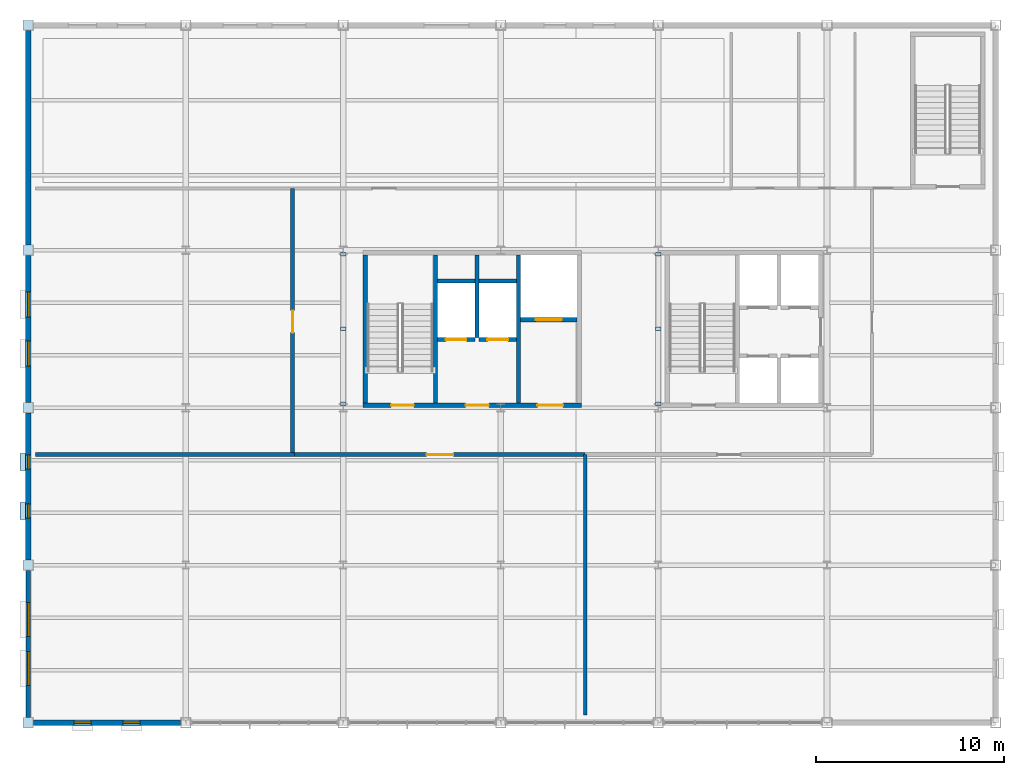
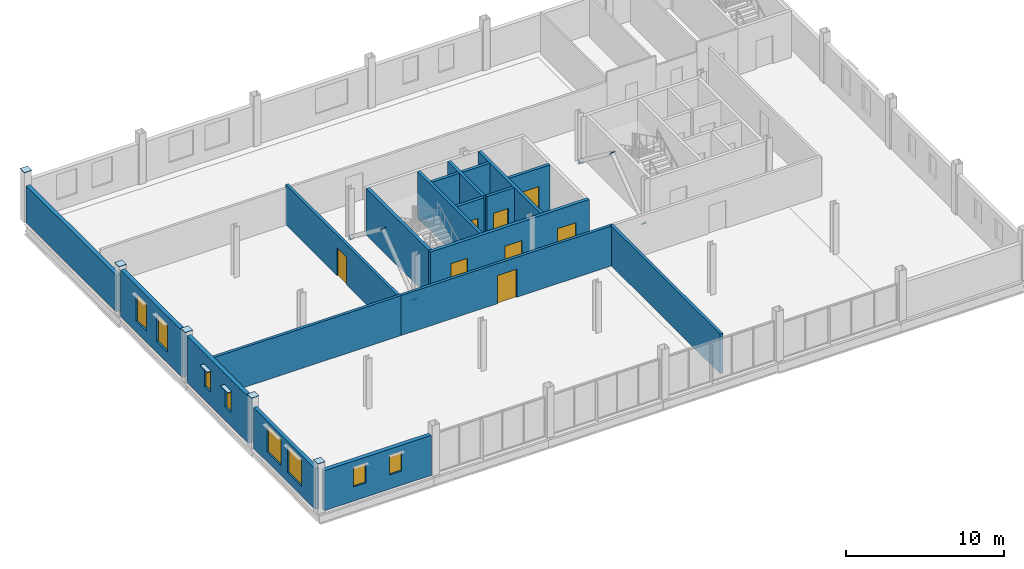
# One storey, part 12 of 17: 19 walls, 13 plates, 8 doors, 8 windows, 16 openings.
"""IFC4 building model written with IfcOpenShell, lengths in metres."""

from ifc_helpers import new_model, si_unit, direction, frame, frame_2d, origin, origin_2d, place, context, subcontext, project, spatial, rectangle, extrude, material, layer, layer_set, type_object, element, fill, save


model = new_model("IFC4")

# Units and contexts
model_context = context("Model", 3, precision=1e-05, world=origin(), true_north=direction((0.0, 1.0)))
body_context = subcontext(model_context, "Body", "Model", "MODEL_VIEW")
ifc_project = project(units=[si_unit("LENGTHUNIT", "METRE"), si_unit("AREAUNIT", "SQUARE_METRE"), si_unit("VOLUMEUNIT", "CUBIC_METRE"), si_unit("PLANEANGLEUNIT", "RADIAN"), si_unit("MASSUNIT", "GRAM", prefix="KILO")], contexts=[model_context])

# Site, building, storey
site_placement = place(None, origin())
site = spatial("IfcSite", under=ifc_project, at=site_placement, CompositionType="ELEMENT")
building_placement = place(site_placement, origin())
building = spatial("IfcBuilding", under=site, at=building_placement, Name="Yukiwa Park Conservatory and Herbarium", CompositionType="ELEMENT")
storey_placement = place(building_placement, frame((0.0, 0.0, 17.10009765625)))
storey = spatial("IfcBuildingStorey", under=building, at=storey_placement, Name="L04", CompositionType="ELEMENT", Elevation=17.10009765625)

# Plates
ifc_material_1 = material(Name="Steel Q355D", Category="steel")
ifc_layer_1 = layer(ifc_material_1, 0.02392578125)
ifc_layer_set_1 = layer_set([ifc_layer_1], Name="Steel Q355D")
plate_type_1 = type_object("IfcPlateType", Name="PL-CAP-24", PredefinedType="USERDEFINED", material=ifc_layer_set_1)
for number, where, z_axis, x_axis, name in (
    (1, (116.39990234375, 78.0, 3.8759765625), (0.0, 0.0, 1.0), (1.0, 0.0, 0.0), "Hollow section end cap plate CAP-COL-L04-V5-X1164-Y780"),
    (2, (116.39990234375, 86.39990234375, 3.8759765625), (0.0, 0.0, 1.0), (1.0, 0.0, 0.0), "Hollow section end cap plate CAP-COL-L04-V5-X1164-Y864"),
    (3, (116.39990234375, 94.800048828125, 3.8759765625), (0.0, 0.0, 1.0), (1.0, 0.0, 0.0), "Hollow section end cap plate CAP-COL-L04-V5-X1164-Y948"),
    (4, (116.39990234375, 103.199951171875, 3.8759765625), (0.0, 0.0, 1.0), (1.0, 0.0, 0.0), "Hollow section end cap plate CAP-COL-L04-V5-X1164-Y1032"),
    (5, (116.39990234375, 115.199951171875, 3.8759765625), (0.0, 0.0, 1.0), (1.0, 0.0, 0.0), "Hollow section end cap plate CAP-COL-L04-V5-X1164-Y1152"),
):
    element("IfcPlate", number, at=place(storey_placement, frame(where, z_axis=z_axis, x_axis=x_axis)), inside=storey, type_object=plate_type_1, Name=name, ObjectType="END CAP PLATE", PredefinedType="USERDEFINED", context=body_context, shape_type="SweptSolid", body=[
        extrude(rectangle(XDim=0.55810546875, YDim=0.55810546875, at=origin_2d()), origin(), (0.0, 0.0, 1.0), 0.02392578125),
    ])
ifc_material_2 = material(Name="Steel Q355D", Category="steel")
ifc_layer_2 = layer(ifc_material_2, 0.02392578125)
ifc_layer_set_2 = layer_set([ifc_layer_2], Name="Steel Q355D")
plate_type_2 = type_object("IfcPlateType", Name="PL-CAP-24-INT", PredefinedType="USERDEFINED", material=ifc_layer_set_2)
for number, where, z_axis, x_axis, name in (
    (6, (133.199951171875, 95.01171875, 0.209716796875), (0.0, -0.797539341706, -0.603266937957), (1.0, 0.0, 0.0), "Hollow section end cap plate CAP-BR-L04-029A"),
    (7, (133.199951171875, 98.99365234375, 3.219970703125), (0.0, 0.792623989105, 0.60971076085), (-1.0, 0.0, 0.0), "Hollow section end cap plate CAP-BR-L04-029B"),
    (8, (133.199951171875, 102.98828125, 0.209716796875), (0.0, 0.797539341706, -0.603266937957), (-1.0, 0.0, 0.0), "Hollow section end cap plate CAP-BR-L04-030A"),
    (9, (150.0, 95.01171875, 0.209716796875), (0.0, -0.797539341706, -0.603266937957), (1.0, 0.0, 0.0), "Hollow section end cap plate CAP-BR-L04-031A"),
    (10, (150.0, 98.99365234375, 3.219970703125), (0.0, 0.792623989105, 0.60971076085), (-1.0, 0.0, 0.0), "Hollow section end cap plate CAP-BR-L04-031B"),
    (11, (150.0, 102.98828125, 0.209716796875), (0.0, 0.797539341706, -0.603266937957), (-1.0, 0.0, 0.0), "Hollow section end cap plate CAP-BR-L04-032A"),
):
    element("IfcPlate", number, at=place(storey_placement, frame(where, z_axis=z_axis, x_axis=x_axis)), inside=storey, type_object=plate_type_2, Name=name, ObjectType="END CAP PLATE", PredefinedType="USERDEFINED", context=body_context, shape_type="SweptSolid", body=[
        extrude(rectangle(XDim=0.281005859375, YDim=0.281005859375, at=origin_2d()), origin(), (0.0, 0.0, 1.0), 0.02392578125),
    ])
ifc_material_3 = material(Name="Anodised Aluminium", Category="aluminium")
ifc_layer_3 = layer(ifc_material_3, 0.0400390625)
ifc_layer_set_3 = layer_set([ifc_layer_3], Name="Anodised Aluminium")
plate_type_3 = type_object("IfcPlateType", Name="PL-SHADE-ALU-40", PredefinedType="SHEET", material=ifc_layer_set_3)
for number, where, z_axis, x_axis, name in (
    (12, (116.110107421875, 91.907958984375, 2.68994140625), (0.0, 0.0, 1.0), (0.0, -1.0, 0.0), "L04 snow-shedding window hood 140"),
    (13, (116.110107421875, 89.2919921875, 2.68994140625), (0.0, 0.0, 1.0), (0.0, -1.0, 0.0), "L04 snow-shedding window hood 141"),
):
    element("IfcPlate", number, at=place(storey_placement, frame(where, z_axis=z_axis, x_axis=x_axis)), inside=storey, type_object=plate_type_3, Name=name, PredefinedType="SHEET", context=body_context, shape_type="SweptSolid", body=[
        extrude(rectangle(XDim=0.909912109375, YDim=0.300048828125, at=origin_2d()), origin(), (0.0, 0.0, 1.0), 0.0400390625),
    ])

# Walls
ifc_material_4 = material(Name="Concrete C40", Category="concrete")
ifc_layer_4 = layer(ifc_material_4, 0.219970703125)
ifc_layer_set_4 = layer_set([ifc_layer_4], Name="Concrete C40")
wall_type_1 = type_object("IfcWallType", Name="WL-CORE-RC220", PredefinedType="SHEAR", material=ifc_layer_set_4)
wall_1_placement = place(storey_placement, frame((138.110107421875, 95.050048828125, 0.0), z_axis=(0.0, 0.0, 1.0), x_axis=(0.0, 1.0, 0.0)))
element("IfcWall", 14, at=wall_1_placement, inside=storey, type_object=wall_type_1, Name="L04 core shear wall 349", PredefinedType="SHEAR", context=body_context, shape_type="SweptSolid", body=[
    extrude(rectangle(XDim=7.89990234375, YDim=0.219970703125, at=frame_2d((3.949951171875, 0.0))), origin(), (0.0, 0.0, 1.0), 3.599853515625),
])
wall_2_placement = place(storey_placement, frame((140.330078125, 98.5400390625, 0.0), z_axis=(0.0, 0.0, 1.0), x_axis=(0.0, 1.0, 0.0)))
element("IfcWall", 15, at=wall_2_placement, inside=storey, type_object=wall_type_1, Name="L04 core shear wall 350", PredefinedType="SHEAR", context=body_context, shape_type="SweptSolid", body=[
    extrude(rectangle(XDim=4.409912109375, YDim=0.219970703125, at=frame_2d((2.205078125, 0.0))), origin(), (0.0, 0.0, 1.0), 3.599853515625),
])
wall_3_placement = place(storey_placement, frame((142.550048828125, 95.050048828125, 0.0), z_axis=(0.0, 0.0, 1.0), x_axis=(0.0, 1.0, 0.0)))
element("IfcWall", 16, at=wall_3_placement, inside=storey, type_object=wall_type_1, Name="L04 core shear wall 351", PredefinedType="SHEAR", context=body_context, shape_type="SweptSolid", body=[
    extrude(rectangle(XDim=7.89990234375, YDim=0.219970703125, at=frame_2d((3.949951171875, 0.0))), origin(), (0.0, 0.0, 1.0), 3.599853515625),
])

# Wall, opening, door
wall_4_placement = place(storey_placement, frame((138.219970703125, 98.429931640625, 0.0), z_axis=(0.0, 0.0, 1.0), x_axis=(1.0, 0.0, 0.0)))
wall_4 = element("IfcWall", 17, at=wall_4_placement, inside=storey, type_object=wall_type_1, Name="L04 core shear wall 353", PredefinedType="SHEAR", context=body_context, shape_type="SweptSolid", body=[
    extrude(rectangle(XDim=2.0, YDim=0.219970703125, at=frame_2d((1.0, 0.0))), origin(), (0.0, 0.0, 1.0), 3.599853515625),
])
opening_1_placement = place(wall_4_placement, frame((0.449951171875, 0.0, 0.0)))
opening_1 = element("IfcOpeningElement", 18, at=opening_1_placement, cuts=wall_4, Name="Opening LD-01", PredefinedType="OPENING", context=body_context, shape_type="SweptSolid", body=[
    extrude(rectangle(XDim=1.10009765625, YDim=2.14990234375, at=frame_2d((0.550048828125, 1.074951171875))), frame((0.0, 0.1201171875, 0.0), z_axis=(0.0, -1.0, 0.0), x_axis=(1.0, 0.0, 0.0)), (0.0, 0.0, 1.0), 0.239990234375),
])
ifc_material_5 = material(Name="Steel Q235B", Category="steel")
door_type_1 = type_object("IfcDoorType", Name="DR-LIFT-LD1100", OperationType="SLIDING_TO_LEFT", PredefinedType="DOOR", material=ifc_material_5)
door_1_placement = place(opening_1_placement, origin())
door_1 = element("IfcDoor", 19, at=door_1_placement, inside=storey, type_object=door_type_1, Name="L04 Firefighting Lift FL1 sliding landing door", OperationType="SLIDING_TO_LEFT", OverallHeight=2.14990234375, OverallWidth=1.10009765625, PredefinedType="DOOR", context=body_context, shape_type="SweptSolid", body=[
    extrude(rectangle(XDim=1.10009765625, YDim=2.14990234375, at=frame_2d((0.550048828125, 1.074951171875))), frame((0.0, 0.02490234375, 0.0), z_axis=(0.0, -1.0, 0.0), x_axis=(1.0, 0.0, 0.0)), (0.0, 0.0, 1.0), 0.050048828125),
])
fill(opening_1, door_1)

wall_5_placement = place(storey_placement, frame((140.43994140625, 98.429931640625, 0.0), z_axis=(0.0, 0.0, 1.0), x_axis=(1.0, 0.0, 0.0)))
wall_5 = element("IfcWall", 20, at=wall_5_placement, inside=storey, type_object=wall_type_1, Name="L04 core shear wall 354", PredefinedType="SHEAR", context=body_context, shape_type="SweptSolid", body=[
    extrude(rectangle(XDim=2.0, YDim=0.219970703125, at=frame_2d((1.0, 0.0))), origin(), (0.0, 0.0, 1.0), 3.599853515625),
])
opening_2_placement = place(wall_5_placement, frame((0.449951171875, 0.0, 0.0)))
opening_2 = element("IfcOpeningElement", 21, at=opening_2_placement, cuts=wall_5, Name="Opening LD-01", PredefinedType="OPENING", context=body_context, shape_type="SweptSolid", body=[
    extrude(rectangle(XDim=1.10009765625, YDim=2.14990234375, at=frame_2d((0.550048828125, 1.074951171875))), frame((0.0, 0.1201171875, 0.0), z_axis=(0.0, -1.0, 0.0), x_axis=(1.0, 0.0, 0.0)), (0.0, 0.0, 1.0), 0.239990234375),
])
door_2_placement = place(opening_2_placement, origin())
door_2 = element("IfcDoor", 22, at=door_2_placement, inside=storey, type_object=door_type_1, Name="L04 Firefighting Lift FL2 sliding landing door", OperationType="SLIDING_TO_LEFT", OverallHeight=2.14990234375, OverallWidth=1.10009765625, PredefinedType="DOOR", context=body_context, shape_type="SweptSolid", body=[
    extrude(rectangle(XDim=1.10009765625, YDim=2.14990234375, at=frame_2d((0.550048828125, 1.074951171875))), frame((0.0, 0.02490234375, 0.0), z_axis=(0.0, -1.0, 0.0), x_axis=(1.0, 0.0, 0.0)), (0.0, 0.0, 1.0), 0.050048828125),
])
fill(opening_2, door_2)

# Walls
for number, where, z_axis, x_axis, name in (
    (23, (138.219970703125, 101.550048828125, 0.0), (0.0, 0.0, 1.0), (1.0, 0.0, 0.0), "L04 core shear wall 355"),
    (24, (140.43994140625, 101.550048828125, 0.0), (0.0, 0.0, 1.0), (1.0, 0.0, 0.0), "L04 core shear wall 356"),
):
    element("IfcWall", number, at=place(storey_placement, frame(where, z_axis=z_axis, x_axis=x_axis)), inside=storey, type_object=wall_type_1, Name=name, PredefinedType="SHEAR", context=body_context, shape_type="SweptSolid", body=[
        extrude(rectangle(XDim=2.0, YDim=0.219970703125, at=frame_2d((1.0, 0.0))), origin(), (0.0, 0.0, 1.0), 3.599853515625),
    ])

# Wall, opening, door
wall_6_placement = place(storey_placement, frame((142.659912109375, 99.489990234375, 0.0), z_axis=(0.0, 0.0, 1.0), x_axis=(1.0, 0.0, 0.0)))
wall_6 = element("IfcWall", 25, at=wall_6_placement, inside=storey, type_object=wall_type_1, Name="L04 core shear wall 357", PredefinedType="SHEAR", context=body_context, shape_type="SweptSolid", body=[
    extrude(rectangle(XDim=3.0, YDim=0.219970703125, at=frame_2d((1.5, 0.0))), origin(), (0.0, 0.0, 1.0), 3.599853515625),
])
opening_3_placement = place(wall_6_placement, frame((0.800048828125, 0.0, 0.0)))
opening_3 = element("IfcOpeningElement", 26, at=opening_3_placement, cuts=wall_6, Name="Opening LD-02", PredefinedType="OPENING", context=body_context, shape_type="SweptSolid", body=[
    extrude(rectangle(XDim=1.39990234375, YDim=2.199951171875, at=frame_2d((0.699951171875, 1.10009765625))), frame((0.0, 0.1201171875, 0.0), z_axis=(0.0, -1.0, 0.0), x_axis=(1.0, 0.0, 0.0)), (0.0, 0.0, 1.0), 0.239990234375),
])
ifc_material_6 = material(Name="Steel Q235B", Category="steel")
door_type_2 = type_object("IfcDoorType", Name="DR-LIFT-LD1400", OperationType="SLIDING_TO_LEFT", PredefinedType="DOOR", material=ifc_material_6)
door_3_placement = place(opening_3_placement, origin())
door_3 = element("IfcDoor", 27, at=door_3_placement, inside=storey, type_object=door_type_2, Name="L04 Goods Lift GL1 sliding landing door", OperationType="SLIDING_TO_LEFT", OverallHeight=2.199951171875, OverallWidth=1.39990234375, PredefinedType="DOOR", context=body_context, shape_type="SweptSolid", body=[
    extrude(rectangle(XDim=1.39990234375, YDim=2.199951171875, at=frame_2d((0.699951171875, 1.10009765625))), frame((0.0, 0.02490234375, 0.0), z_axis=(0.0, -1.0, 0.0), x_axis=(1.0, 0.0, 0.0)), (0.0, 0.0, 1.0), 0.050048828125),
])
fill(opening_3, door_3)

# Wall, openings, doors
ifc_material_7 = material(Name="Concrete C50", Category="concrete")
ifc_layer_5 = layer(ifc_material_7, 0.239990234375)
ifc_layer_set_5 = layer_set([ifc_layer_5], Name="Concrete C50")
wall_type_2 = type_object("IfcWallType", Name="WL-CORE-RC240", PredefinedType="SHEAR", material=ifc_layer_set_5)
wall_7_placement = place(storey_placement, frame((134.25, 94.929931640625, 0.0), z_axis=(0.0, 0.0, 1.0), x_axis=(1.0, 0.0, 0.0)))
wall_7 = element("IfcWall", 28, at=wall_7_placement, inside=storey, type_object=wall_type_2, Name="L04 core shear wall 346", PredefinedType="SHEAR", context=body_context, shape_type="SweptSolid", body=[
    extrude(rectangle(XDim=11.64990234375, YDim=0.239990234375, at=frame_2d((5.824951171875, 0.0))), origin(), (0.0, 0.0, 1.0), 3.599853515625),
])
opening_4_placement = place(wall_7_placement, frame((1.5, 0.0, 0.0)))
opening_4 = element("IfcOpeningElement", 29, at=opening_4_placement, cuts=wall_7, Name="Opening SD-01", PredefinedType="OPENING", context=body_context, shape_type="SweptSolid", body=[
    extrude(rectangle(XDim=1.219970703125, YDim=2.179931640625, at=frame_2d((0.60986328125, 1.08984375))), frame((0.0, 0.1298828125, 0.0), z_axis=(0.0, -1.0, 0.0), x_axis=(1.0, 0.0, 0.0)), (0.0, 0.0, 1.0), 0.260009765625),
])
opening_5_placement = place(wall_7_placement, frame((5.47998046875, 0.0, 0.0)))
opening_5 = element("IfcOpeningElement", 30, at=opening_5_placement, cuts=wall_7, Name="Opening FD-02", PredefinedType="OPENING", context=body_context, shape_type="SweptSolid", body=[
    extrude(rectangle(XDim=1.239990234375, YDim=2.14990234375, at=frame_2d((0.6201171875, 1.074951171875))), frame((0.0, 0.1298828125, 0.0), z_axis=(0.0, -1.0, 0.0), x_axis=(1.0, 0.0, 0.0)), (0.0, 0.0, 1.0), 0.260009765625),
])
opening_6_placement = place(wall_7_placement, frame((9.300048828125, 0.0, 0.0)))
opening_6 = element("IfcOpeningElement", 31, at=opening_6_placement, cuts=wall_7, Name="Opening FD-06", PredefinedType="OPENING", context=body_context, shape_type="SweptSolid", body=[
    extrude(rectangle(XDim=1.3798828125, YDim=2.14990234375, at=frame_2d((0.68994140625, 1.074951171875))), frame((0.0, 0.1298828125, 0.0), z_axis=(0.0, -1.0, 0.0), x_axis=(1.0, 0.0, 0.0)), (0.0, 0.0, 1.0), 0.260009765625),
])
ifc_material_8 = material(Name="Steel Q235B", Category="steel")
door_type_3 = type_object("IfcDoorType", Name="DR-FIRE-FD60-1400", OperationType="DOUBLE_DOOR_SINGLE_SWING", PredefinedType="DOOR", material=ifc_material_8)
door_4_placement = place(opening_6_placement, frame((1.3798828125, 0.0, 0.0), z_axis=(0.0, 0.0, 1.0), x_axis=(-1.0, 0.0, 0.0)))
door_4 = element("IfcDoor", 32, at=door_4_placement, inside=storey, type_object=door_type_3, Name="L04 Goods Lift Lobby double fire door", OperationType="DOUBLE_DOOR_SINGLE_SWING", OverallHeight=2.14990234375, OverallWidth=1.3798828125, PredefinedType="DOOR", context=body_context, shape_type="SweptSolid", body=[
    extrude(rectangle(XDim=1.3798828125, YDim=2.14990234375, at=frame_2d((0.68994140625, 1.074951171875))), frame((0.0, 0.02490234375, 0.0), z_axis=(0.0, -1.0, 0.0), x_axis=(1.0, 0.0, 0.0)), (0.0, 0.0, 1.0), 0.050048828125),
])
fill(opening_6, door_4)
ifc_material_9 = material(Name="Steel Q235B", Category="steel")
door_type_4 = type_object("IfcDoorType", Name="DR-FIRE-FD90-1200", OperationType="SINGLE_SWING_RIGHT", PredefinedType="DOOR", material=ifc_material_9)
door_5_placement = place(opening_5_placement, frame((1.239990234375, 0.0, 0.0), z_axis=(0.0, 0.0, 1.0), x_axis=(-1.0, 0.0, 0.0)))
door_5 = element("IfcDoor", 33, at=door_5_placement, inside=storey, type_object=door_type_4, Name="L04 Firefighting Lift Lobby fire door", OperationType="SINGLE_SWING_RIGHT", OverallHeight=2.14990234375, OverallWidth=1.239990234375, PredefinedType="DOOR", context=body_context, shape_type="SweptSolid", body=[
    extrude(rectangle(XDim=1.239990234375, YDim=2.14990234375, at=frame_2d((0.6201171875, 1.074951171875))), frame((0.0, 0.02490234375, 0.0), z_axis=(0.0, -1.0, 0.0), x_axis=(1.0, 0.0, 0.0)), (0.0, 0.0, 1.0), 0.050048828125),
])
fill(opening_5, door_5)
ifc_material_10 = material(Name="Steel Q235B", Category="steel")
door_type_5 = type_object("IfcDoorType", Name="DR-STAIR-FD90-1200", OperationType="SINGLE_SWING_LEFT", PredefinedType="DOOR", material=ifc_material_10)
door_6_placement = place(opening_4_placement, origin())
door_6 = element("IfcDoor", 34, at=door_6_placement, inside=storey, type_object=door_type_5, Name="L04 Stairwell ST-T1 fire door", OperationType="SINGLE_SWING_LEFT", OverallHeight=2.179931640625, OverallWidth=1.219970703125, PredefinedType="DOOR", context=body_context, shape_type="SweptSolid", body=[
    extrude(rectangle(XDim=1.219970703125, YDim=2.179931640625, at=frame_2d((0.60986328125, 1.08984375))), frame((0.0, 0.02490234375, 0.0), z_axis=(0.0, -1.0, 0.0), x_axis=(1.0, 0.0, 0.0)), (0.0, 0.0, 1.0), 0.050048828125),
])
fill(opening_4, door_6)

# Walls
wall_8_placement = place(storey_placement, frame((134.3701171875, 95.050048828125, 0.0), z_axis=(0.0, 0.0, 1.0), x_axis=(0.0, 1.0, 0.0)))
element("IfcWall", 35, at=wall_8_placement, inside=storey, type_object=wall_type_2, Name="L04 core shear wall 348", PredefinedType="SHEAR", context=body_context, shape_type="SweptSolid", body=[
    extrude(rectangle(XDim=7.89990234375, YDim=0.239990234375, at=frame_2d((3.949951171875, 0.0))), origin(), (0.0, 0.0, 1.0), 3.599853515625),
])
ifc_material_11 = material(Name="Pale Granite Cladding", Category="masonry")
ifc_layer_6 = layer(ifc_material_11, 0.300048828125)
ifc_layer_set_6 = layer_set([ifc_layer_6], Name="Pale Granite Cladding")
wall_type_3 = type_object("IfcWallType", Name="WL-EXT-GRAN-300", PredefinedType="SOLIDWALL", material=ifc_layer_set_6)
wall_9_placement = place(storey_placement, frame((116.39990234375, 114.925048828125, 0.0), z_axis=(0.0, 0.0, 1.0), x_axis=(0.0, -1.0, 0.0)))
element("IfcWall", 36, at=wall_9_placement, inside=storey, type_object=wall_type_3, Name="L04 exterior envelope wall 269", PredefinedType="SOLIDWALL", context=body_context, shape_type="SweptSolid", body=[
    extrude(rectangle(XDim=11.449951171875, YDim=0.300048828125, at=frame_2d((5.72509765625, 0.0))), origin(), (0.0, 0.0, 1.0), 2.843017578125),
])

# Wall, openings, windows
wall_10_placement = place(storey_placement, frame((116.39990234375, 102.925048828125, 0.0), z_axis=(0.0, 0.0, 1.0), x_axis=(0.0, -1.0, 0.0)))
wall_10 = element("IfcWall", 37, at=wall_10_placement, inside=storey, type_object=wall_type_3, Name="L04 exterior envelope wall 270", PredefinedType="SOLIDWALL", context=body_context, shape_type="SweptSolid", body=[
    extrude(rectangle(XDim=7.85009765625, YDim=0.300048828125, at=frame_2d((3.925048828125, 0.0))), origin(), (0.0, 0.0, 1.0), 3.599853515625),
])
opening_7_placement = place(wall_10_placement, frame((1.94189453125, 0.0, 0.85009765625)))
opening_7 = element("IfcOpeningElement", 38, at=opening_7_placement, cuts=wall_10, Name="Opening W-04", PredefinedType="OPENING", context=body_context, shape_type="SweptSolid", body=[
    extrude(rectangle(XDim=1.35009765625, YDim=2.10009765625, at=frame_2d((0.675048828125, 1.050048828125))), frame((0.0, 0.16015625, 0.0), z_axis=(0.0, -1.0, 0.0), x_axis=(1.0, 0.0, 0.0)), (0.0, 0.0, 1.0), 0.320068359375),
])
opening_8_placement = place(wall_10_placement, frame((4.55810546875, 0.0, 0.85009765625)))
opening_8 = element("IfcOpeningElement", 39, at=opening_8_placement, cuts=wall_10, Name="Opening W-04", PredefinedType="OPENING", context=body_context, shape_type="SweptSolid", body=[
    extrude(rectangle(XDim=1.35009765625, YDim=2.10009765625, at=frame_2d((0.675048828125, 1.050048828125))), frame((0.0, 0.16015625, 0.0), z_axis=(0.0, -1.0, 0.0), x_axis=(1.0, 0.0, 0.0)), (0.0, 0.0, 1.0), 0.320068359375),
])
ifc_material_12 = material(Name="Triple Low-E Insulated Glass", Category="glass")
window_type_1 = type_object("IfcWindowType", Name="WN-TW-1350X2100", PartitioningType="SINGLE_PANEL", PredefinedType="WINDOW", material=ifc_material_12)
window_1_placement = place(opening_7_placement, origin())
window_1 = element("IfcWindow", 40, at=window_1_placement, inside=storey, type_object=window_type_1, Name="L04 deep-reveal triple-glazed window 211", OverallHeight=2.10009765625, OverallWidth=1.35009765625, PartitioningType="SINGLE_PANEL", PredefinedType="WINDOW", context=body_context, shape_type="SweptSolid", body=[
    extrude(rectangle(XDim=1.35009765625, YDim=2.10009765625, at=frame_2d((0.675048828125, 1.050048828125))), frame((0.0, 0.030029296875, 0.0), z_axis=(0.0, -1.0, 0.0), x_axis=(1.0, 0.0, 0.0)), (0.0, 0.0, 1.0), 0.06005859375),
])
fill(opening_7, window_1)
window_2_placement = place(opening_8_placement, origin())
window_2 = element("IfcWindow", 41, at=window_2_placement, inside=storey, type_object=window_type_1, Name="L04 deep-reveal triple-glazed window 212", OverallHeight=2.10009765625, OverallWidth=1.35009765625, PartitioningType="SINGLE_PANEL", PredefinedType="WINDOW", context=body_context, shape_type="SweptSolid", body=[
    extrude(rectangle(XDim=1.35009765625, YDim=2.10009765625, at=frame_2d((0.675048828125, 1.050048828125))), frame((0.0, 0.030029296875, 0.0), z_axis=(0.0, -1.0, 0.0), x_axis=(1.0, 0.0, 0.0)), (0.0, 0.0, 1.0), 0.06005859375),
])
fill(opening_8, window_2)

wall_11_placement = place(storey_placement, frame((116.39990234375, 94.52490234375, 0.0), z_axis=(0.0, 0.0, 1.0), x_axis=(0.0, -1.0, 0.0)))
wall_11 = element("IfcWall", 42, at=wall_11_placement, inside=storey, type_object=wall_type_3, Name="L04 exterior envelope wall 271", PredefinedType="SOLIDWALL", context=body_context, shape_type="SweptSolid", body=[
    extrude(rectangle(XDim=7.849853515625, YDim=0.300048828125, at=frame_2d((3.9248046875, 0.0))), origin(), (0.0, 0.0, 1.0), 3.599853515625),
])
opening_9_placement = place(wall_11_placement, frame((2.241943359375, 0.0, 1.050048828125)))
opening_9 = element("IfcOpeningElement", 43, at=opening_9_placement, cuts=wall_11, Name="Opening W-10", PredefinedType="OPENING", context=body_context, shape_type="SweptSolid", body=[
    extrude(rectangle(XDim=0.75, YDim=1.60009765625, at=frame_2d((0.375, 0.800048828125))), frame((0.0, 0.16015625, 0.0), z_axis=(0.0, -1.0, 0.0), x_axis=(1.0, 0.0, 0.0)), (0.0, 0.0, 1.0), 0.320068359375),
])
opening_10_placement = place(wall_11_placement, frame((4.85791015625, 0.0, 1.050048828125)))
opening_10 = element("IfcOpeningElement", 44, at=opening_10_placement, cuts=wall_11, Name="Opening W-10", PredefinedType="OPENING", context=body_context, shape_type="SweptSolid", body=[
    extrude(rectangle(XDim=0.75, YDim=1.60009765625, at=frame_2d((0.375, 0.800048828125))), frame((0.0, 0.16015625, 0.0), z_axis=(0.0, -1.0, 0.0), x_axis=(1.0, 0.0, 0.0)), (0.0, 0.0, 1.0), 0.320068359375),
])
ifc_material_13 = material(Name="Triple Low-E Insulated Glass", Category="glass")
window_type_2 = type_object("IfcWindowType", Name="WN-HB-0750X1600", PartitioningType="SINGLE_PANEL", PredefinedType="WINDOW", material=ifc_material_13)
window_3_placement = place(opening_9_placement, origin())
window_3 = element("IfcWindow", 45, at=window_3_placement, inside=storey, type_object=window_type_2, Name="L04 deep-reveal triple-glazed window 213", OverallHeight=1.60009765625, OverallWidth=0.75, PartitioningType="SINGLE_PANEL", PredefinedType="WINDOW", context=body_context, shape_type="SweptSolid", body=[
    extrude(rectangle(XDim=0.75, YDim=1.60009765625, at=frame_2d((0.375, 0.800048828125))), frame((0.0, 0.030029296875, 0.0), z_axis=(0.0, -1.0, 0.0), x_axis=(1.0, 0.0, 0.0)), (0.0, 0.0, 1.0), 0.06005859375),
])
fill(opening_9, window_3)
window_4_placement = place(opening_10_placement, origin())
window_4 = element("IfcWindow", 46, at=window_4_placement, inside=storey, type_object=window_type_2, Name="L04 deep-reveal triple-glazed window 214", OverallHeight=1.60009765625, OverallWidth=0.75, PartitioningType="SINGLE_PANEL", PredefinedType="WINDOW", context=body_context, shape_type="SweptSolid", body=[
    extrude(rectangle(XDim=0.75, YDim=1.60009765625, at=frame_2d((0.375, 0.800048828125))), frame((0.0, 0.030029296875, 0.0), z_axis=(0.0, -1.0, 0.0), x_axis=(1.0, 0.0, 0.0)), (0.0, 0.0, 1.0), 0.06005859375),
])
fill(opening_10, window_4)

wall_12_placement = place(storey_placement, frame((116.675048828125, 78.0, 0.0), z_axis=(0.0, 0.0, 1.0), x_axis=(1.0, 0.0, 0.0)))
wall_12 = element("IfcWall", 47, at=wall_12_placement, inside=storey, type_object=wall_type_3, Name="L04 exterior envelope wall 273", PredefinedType="SOLIDWALL", context=body_context, shape_type="SweptSolid", body=[
    extrude(rectangle(XDim=7.849853515625, YDim=0.300048828125, at=frame_2d((3.9248046875, 0.0))), origin(), (0.0, 0.0, 1.0), 3.099853515625),
])
opening_11_placement = place(wall_12_placement, frame((2.1669921875, 0.0, 1.10009765625)))
opening_11 = element("IfcOpeningElement", 48, at=opening_11_placement, cuts=wall_12, Name="Opening W-11", PredefinedType="OPENING", context=body_context, shape_type="SweptSolid", body=[
    extrude(rectangle(XDim=0.89990234375, YDim=1.5, at=frame_2d((0.449951171875, 0.75))), frame((0.0, 0.16015625, 0.0), z_axis=(0.0, -1.0, 0.0), x_axis=(1.0, 0.0, 0.0)), (0.0, 0.0, 1.0), 0.320068359375),
])
opening_12_placement = place(wall_12_placement, frame((4.782958984375, 0.0, 1.10009765625)))
opening_12 = element("IfcOpeningElement", 49, at=opening_12_placement, cuts=wall_12, Name="Opening W-11", PredefinedType="OPENING", context=body_context, shape_type="SweptSolid", body=[
    extrude(rectangle(XDim=0.89990234375, YDim=1.5, at=frame_2d((0.449951171875, 0.75))), frame((0.0, 0.16015625, 0.0), z_axis=(0.0, -1.0, 0.0), x_axis=(1.0, 0.0, 0.0)), (0.0, 0.0, 1.0), 0.320068359375),
])
ifc_material_14 = material(Name="Triple Low-E Insulated Glass", Category="glass")
window_type_3 = type_object("IfcWindowType", Name="WN-HB-0900X1500", PartitioningType="SINGLE_PANEL", PredefinedType="WINDOW", material=ifc_material_14)
window_5_placement = place(opening_11_placement, origin())
window_5 = element("IfcWindow", 50, at=window_5_placement, inside=storey, type_object=window_type_3, Name="L04 deep-reveal triple-glazed window 217", OverallHeight=1.5, OverallWidth=0.89990234375, PartitioningType="SINGLE_PANEL", PredefinedType="WINDOW", context=body_context, shape_type="SweptSolid", body=[
    extrude(rectangle(XDim=0.89990234375, YDim=1.5, at=frame_2d((0.449951171875, 0.75))), frame((0.0, 0.030029296875, 0.0), z_axis=(0.0, -1.0, 0.0), x_axis=(1.0, 0.0, 0.0)), (0.0, 0.0, 1.0), 0.06005859375),
])
fill(opening_11, window_5)
window_6_placement = place(opening_12_placement, origin())
window_6 = element("IfcWindow", 51, at=window_6_placement, inside=storey, type_object=window_type_3, Name="L04 deep-reveal triple-glazed window 218", OverallHeight=1.5, OverallWidth=0.89990234375, PartitioningType="SINGLE_PANEL", PredefinedType="WINDOW", context=body_context, shape_type="SweptSolid", body=[
    extrude(rectangle(XDim=0.89990234375, YDim=1.5, at=frame_2d((0.449951171875, 0.75))), frame((0.0, 0.030029296875, 0.0), z_axis=(0.0, -1.0, 0.0), x_axis=(1.0, 0.0, 0.0)), (0.0, 0.0, 1.0), 0.06005859375),
])
fill(opening_12, window_6)

ifc_material_15 = material(Name="Charred Larch Cladding", Category="wood")
ifc_layer_7 = layer(ifc_material_15, 0.260009765625)
ifc_layer_set_7 = layer_set([ifc_layer_7], Name="Charred Larch Cladding")
wall_type_4 = type_object("IfcWallType", Name="WL-EXT-LARCH-260", PredefinedType="SOLIDWALL", material=ifc_layer_set_7)
wall_13_placement = place(storey_placement, frame((116.39990234375, 86.125, 0.0), z_axis=(0.0, 0.0, 1.0), x_axis=(0.0, -1.0, 0.0)))
wall_13 = element("IfcWall", 52, at=wall_13_placement, inside=storey, type_object=wall_type_4, Name="L04 exterior envelope wall 272", PredefinedType="SOLIDWALL", context=body_context, shape_type="SweptSolid", body=[
    extrude(rectangle(XDim=7.85009765625, YDim=0.260009765625, at=frame_2d((3.925048828125, 0.0))), origin(), (0.0, 0.0, 1.0), 3.139892578125),
])
opening_13_placement = place(wall_13_placement, frame((1.717041015625, 0.0, 0.75)))
opening_13 = element("IfcOpeningElement", 53, at=opening_13_placement, cuts=wall_13, Name="Opening W-12", PredefinedType="OPENING", context=body_context, shape_type="SweptSolid", body=[
    extrude(rectangle(XDim=1.800048828125, YDim=2.090087890625, at=frame_2d((0.89990234375, 1.044921875))), frame((0.0, 0.14013671875, 0.0), z_axis=(0.0, -1.0, 0.0), x_axis=(1.0, 0.0, 0.0)), (0.0, 0.0, 1.0), 0.280029296875),
])
opening_14_placement = place(wall_13_placement, frame((4.3330078125, 0.0, 0.75)))
opening_14 = element("IfcOpeningElement", 54, at=opening_14_placement, cuts=wall_13, Name="Opening W-12", PredefinedType="OPENING", context=body_context, shape_type="SweptSolid", body=[
    extrude(rectangle(XDim=1.800048828125, YDim=2.090087890625, at=frame_2d((0.89990234375, 1.044921875))), frame((0.0, 0.14013671875, 0.0), z_axis=(0.0, -1.0, 0.0), x_axis=(1.0, 0.0, 0.0)), (0.0, 0.0, 1.0), 0.280029296875),
])
ifc_material_16 = material(Name="Triple Low-E Insulated Glass", Category="glass")
window_type_4 = type_object("IfcWindowType", Name="WN-VS-1800X2400", PartitioningType="SINGLE_PANEL", PredefinedType="WINDOW", material=ifc_material_16)
window_7_placement = place(opening_13_placement, origin())
window_7 = element("IfcWindow", 55, at=window_7_placement, inside=storey, type_object=window_type_4, Name="L04 deep-reveal triple-glazed window 215", OverallHeight=2.090087890625, OverallWidth=1.800048828125, PartitioningType="SINGLE_PANEL", PredefinedType="WINDOW", context=body_context, shape_type="SweptSolid", body=[
    extrude(rectangle(XDim=1.800048828125, YDim=2.090087890625, at=frame_2d((0.89990234375, 1.044921875))), frame((0.0, 0.030029296875, 0.0), z_axis=(0.0, -1.0, 0.0), x_axis=(1.0, 0.0, 0.0)), (0.0, 0.0, 1.0), 0.06005859375),
])
fill(opening_13, window_7)
window_8_placement = place(opening_14_placement, origin())
window_8 = element("IfcWindow", 56, at=window_8_placement, inside=storey, type_object=window_type_4, Name="L04 deep-reveal triple-glazed window 216", OverallHeight=2.090087890625, OverallWidth=1.800048828125, PartitioningType="SINGLE_PANEL", PredefinedType="WINDOW", context=body_context, shape_type="SweptSolid", body=[
    extrude(rectangle(XDim=1.800048828125, YDim=2.090087890625, at=frame_2d((0.89990234375, 1.044921875))), frame((0.0, 0.030029296875, 0.0), z_axis=(0.0, -1.0, 0.0), x_axis=(1.0, 0.0, 0.0)), (0.0, 0.0, 1.0), 0.06005859375),
])
fill(opening_14, window_8)

# Wall, opening, door
ifc_material_17 = material(Name="Gypsum Board Partition", Category="gypsum")
ifc_layer_8 = layer(ifc_material_17, 0.199951171875)
ifc_layer_set_8 = layer_set([ifc_layer_8], Name="Gypsum Board Partition")
wall_type_5 = type_object("IfcWallType", Name="WL-PART-FIRE-200", PredefinedType="SOLIDWALL", material=ifc_layer_set_8)
wall_14_placement = place(storey_placement, frame((130.60009765625, 92.300048828125, 0.0), z_axis=(0.0, 0.0, 1.0), x_axis=(1.0, 0.0, 0.0)))
wall_14 = element("IfcWall", 57, at=wall_14_placement, inside=storey, type_object=wall_type_5, Name="L04 interior partition wall 380", PredefinedType="SOLIDWALL", context=body_context, shape_type="SweptSolid", body=[
    extrude(rectangle(XDim=15.5, YDim=0.199951171875, at=frame_2d((7.75, 0.0))), origin(), (0.0, 0.0, 1.0), 3.099853515625),
])
opening_15_placement = place(wall_14_placement, frame((7.050048828125, 0.0, 0.0)))
opening_15 = element("IfcOpeningElement", 58, at=opening_15_placement, cuts=wall_14, Name="Opening FD-03", PredefinedType="OPENING", context=body_context, shape_type="SweptSolid", body=[
    extrude(rectangle(XDim=1.419921875, YDim=2.179931640625, at=frame_2d((0.7099609375, 1.08984375))), frame((0.0, 0.10986328125, 0.0), z_axis=(0.0, -1.0, 0.0), x_axis=(1.0, 0.0, 0.0)), (0.0, 0.0, 1.0), 0.219970703125),
])
ifc_material_18 = material(Name="Steel Q235B", Category="steel")
door_type_6 = type_object("IfcDoorType", Name="DR-FIRE-FD90-1400", OperationType="DOUBLE_DOOR_SINGLE_SWING", PredefinedType="DOOR", material=ifc_material_18)
door_7_placement = place(opening_15_placement, origin())
door_7 = element("IfcDoor", 59, at=door_7_placement, inside=storey, type_object=door_type_6, Name="L04 Medicinal Herbarium fire door", OperationType="DOUBLE_DOOR_SINGLE_SWING", OverallHeight=2.179931640625, OverallWidth=1.419921875, PredefinedType="DOOR", context=body_context, shape_type="SweptSolid", body=[
    extrude(rectangle(XDim=1.419921875, YDim=2.179931640625, at=frame_2d((0.7099609375, 1.08984375))), frame((0.0, 0.02490234375, 0.0), z_axis=(0.0, -1.0, 0.0), x_axis=(1.0, 0.0, 0.0)), (0.0, 0.0, 1.0), 0.050048828125),
])
fill(opening_15, door_7)

# Walls
wall_15_placement = place(storey_placement, frame((146.10009765625, 78.39990234375, 0.0), z_axis=(0.0, 0.0, 1.0), x_axis=(0.0, 1.0, 0.0)))
element("IfcWall", 60, at=wall_15_placement, inside=storey, type_object=wall_type_5, Name="L04 interior partition wall 382", PredefinedType="SOLIDWALL", context=body_context, shape_type="SweptSolid", body=[
    extrude(rectangle(XDim=13.900146484375, YDim=0.199951171875, at=frame_2d((6.9501953125, 0.0))), origin(), (0.0, 0.0, 1.0), 3.099853515625),
])
wall_16_placement = place(storey_placement, frame((116.800048828125, 92.300048828125, 0.0), z_axis=(0.0, 0.0, 1.0), x_axis=(1.0, 0.0, 0.0)))
element("IfcWall", 61, at=wall_16_placement, inside=storey, type_object=wall_type_5, Name="L04 interior partition wall 383", PredefinedType="SOLIDWALL", context=body_context, shape_type="SweptSolid", body=[
    extrude(rectangle(XDim=13.800048828125, YDim=0.199951171875, at=frame_2d((6.89990234375, 0.0))), origin(), (0.0, 0.0, 1.0), 3.099853515625),
])

# Wall, opening, door
wall_17_placement = place(storey_placement, frame((130.5, 92.300048828125, 0.0), z_axis=(0.0, 0.0, 1.0), x_axis=(0.0, 1.0, 0.0)))
wall_17 = element("IfcWall", 62, at=wall_17_placement, inside=storey, type_object=wall_type_5, Name="L04 interior partition wall 385", PredefinedType="SOLIDWALL", context=body_context, shape_type="SweptSolid", body=[
    extrude(rectangle(XDim=14.199951171875, YDim=0.199951171875, at=frame_2d((7.10009765625, 0.0))), origin(), (0.0, 0.0, 1.0), 3.099853515625),
])
opening_16_placement = place(wall_17_placement, frame((6.5, 0.0, 0.0)))
opening_16 = element("IfcOpeningElement", 63, at=opening_16_placement, cuts=wall_17, Name="Opening FD-05", PredefinedType="OPENING", context=body_context, shape_type="SweptSolid", body=[
    extrude(rectangle(XDim=1.179931640625, YDim=2.14990234375, at=frame_2d((0.58984375, 1.074951171875))), frame((0.0, 0.10986328125, 0.0), z_axis=(0.0, -1.0, 0.0), x_axis=(1.0, 0.0, 0.0)), (0.0, 0.0, 1.0), 0.219970703125),
])
ifc_material_19 = material(Name="Steel Q235B", Category="steel")
door_type_7 = type_object("IfcDoorType", Name="DR-FIRE-FD60-1200", OperationType="SINGLE_SWING_LEFT", PredefinedType="DOOR", material=ifc_material_19)
door_8_placement = place(opening_16_placement, origin())
door_8 = element("IfcDoor", 64, at=door_8_placement, inside=storey, type_object=door_type_7, Name="L04 Freeze-treatment room door", OperationType="SINGLE_SWING_LEFT", OverallHeight=2.14990234375, OverallWidth=1.179931640625, PredefinedType="DOOR", context=body_context, shape_type="SweptSolid", body=[
    extrude(rectangle(XDim=1.179931640625, YDim=2.14990234375, at=frame_2d((0.58984375, 1.074951171875))), frame((0.0, 0.02490234375, 0.0), z_axis=(0.0, -1.0, 0.0), x_axis=(1.0, 0.0, 0.0)), (0.0, 0.0, 1.0), 0.050048828125),
])
fill(opening_16, door_8)

save(model, "model.ifc")
